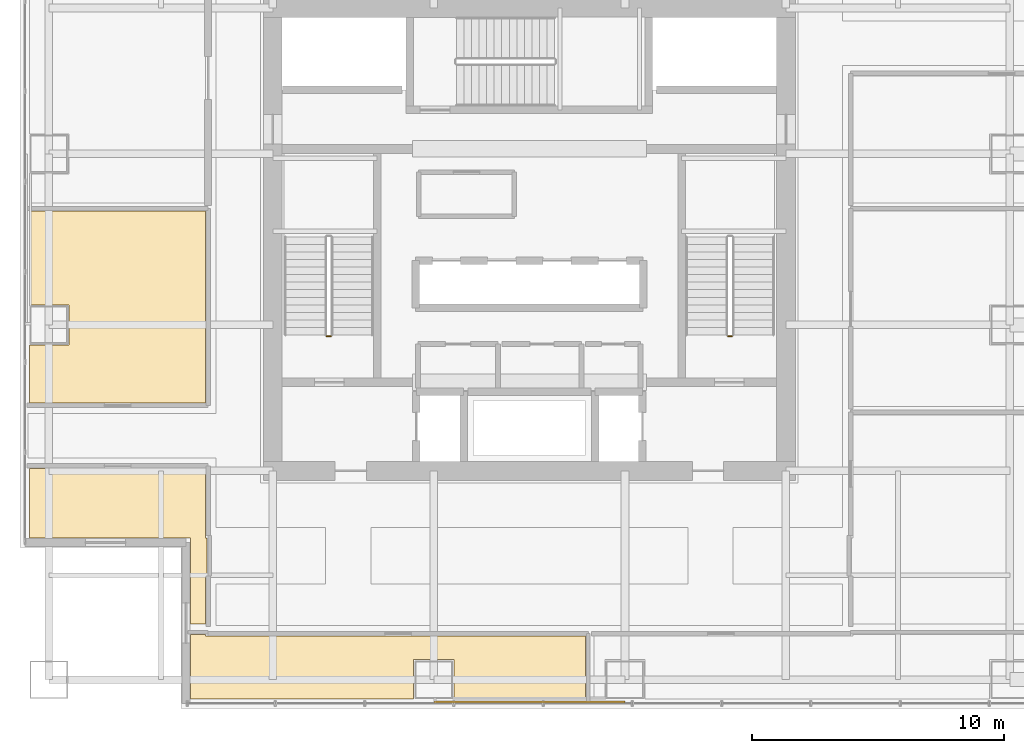
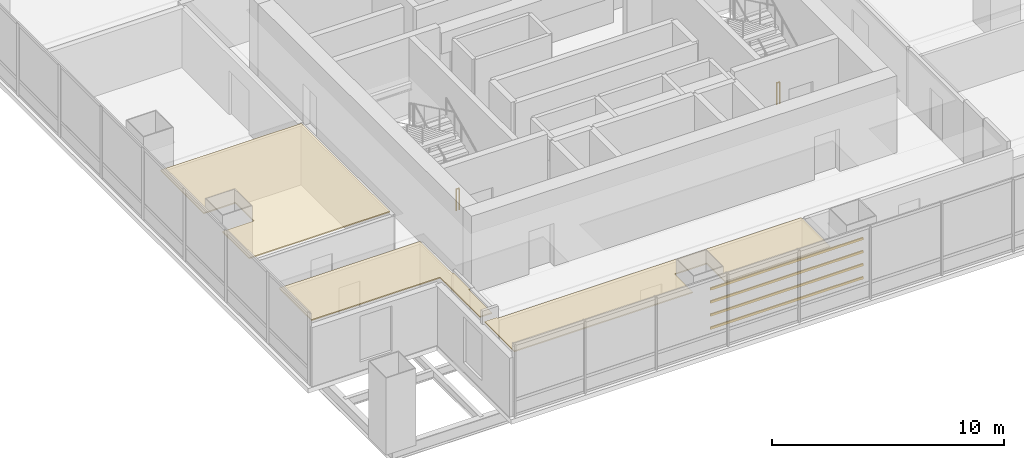
# One storey, part 31 of 35: 4 shading devices, 3 coverings, 2 railings.
"""IFC4 building model written with IfcOpenShell, lengths in metres."""

from ifc_helpers import new_model, si_unit, direction, frame, origin, origin_2d, place, context, subcontext, project, spatial, polyline, hollow_rectangle, circle, outline, extrude, material, layer, layer_set, material_profile, profile_set, type_object, element, save


model = new_model("IFC4")

# Units and contexts
model_context = context("Model", 3, precision=1e-05, world=origin(), true_north=direction((0.0, 1.0)))
body_context = subcontext(model_context, "Body", "Model", "MODEL_VIEW")
ifc_project = project(units=[si_unit("LENGTHUNIT", "METRE"), si_unit("AREAUNIT", "SQUARE_METRE"), si_unit("VOLUMEUNIT", "CUBIC_METRE"), si_unit("PLANEANGLEUNIT", "RADIAN"), si_unit("MASSUNIT", "GRAM", prefix="KILO")], contexts=[model_context])

# Site, building, storey
site_placement = place(None, origin())
site = spatial("IfcSite", under=ifc_project, at=site_placement, CompositionType="ELEMENT")
building_placement = place(site_placement, origin())
building = spatial("IfcBuilding", under=site, at=building_placement, Name="Punatoya Terracotta Tower", CompositionType="ELEMENT")
storey_placement = place(building_placement, frame((0.0, 0.0, 113.25)))
storey = spatial("IfcBuildingStorey", under=building, at=storey_placement, Name="L26", CompositionType="ELEMENT", Elevation=113.25)

# Coverings
ifc_material_1 = material(Name="Acoustic Mineral Fibre Ceiling")
ifc_layer = layer(ifc_material_1, 0.06005859375)
ifc_layer_set = layer_set([ifc_layer], Name="Acoustic Mineral Fibre Ceiling")
covering_type = type_object("IfcCoveringType", Name="COV-CEIL-60", PredefinedType="CEILING", material=ifc_layer_set)
covering_1_placement = place(storey_placement, frame((0.0, 0.0, 3.199951171875)))
element("IfcCovering", 1, at=covering_1_placement, inside=storey, type_object=covering_type, Name="L26 Open-Plan Client Dining Salon Acoustic Ceiling", PredefinedType="CEILING", context=body_context, shape_type="SweptSolid", body=[
    extrude(outline(polyline([(-13.469970703125, -18.27001953125), (-4.60009765625, -18.27001953125), (-4.60009765625, -16.699951171875), (-3.0, -16.699951171875), (-3.0, -18.27001953125), (2.239990234375, -18.27001953125), (2.239990234375, -15.77001953125), (-12.8701171875, -15.77001953125), (-12.8701171875, -15.7099609375), (-13.469970703125, -15.7099609375), (-13.469970703125, -18.27001953125)])), origin(), (0.0, 0.0, 1.0), 0.06005859375),
])
covering_2_placement = place(storey_placement, frame((0.0, 0.0, 3.199951171875)))
element("IfcCovering", 2, at=covering_2_placement, inside=storey, type_object=covering_type, Name="L26 Visitor Reception Salon Acoustic Ceiling", PredefinedType="CEILING", context=body_context, shape_type="SweptSolid", body=[
    extrude(outline(polyline([(-13.469970703125, -11.8701171875), (-13.469970703125, -15.2900390625), (-12.8701171875, -15.2900390625), (-12.8701171875, -13.280029296875), (-12.81005859375, -13.280029296875), (-12.81005859375, -11.8701171875), (-12.8701171875, -11.8701171875), (-12.8701171875, -9.10009765625), (-19.8701171875, -9.10009765625), (-19.8701171875, -11.8701171875), (-13.469970703125, -11.8701171875)])), origin(), (0.0, 0.0, 1.0), 0.06005859375),
])
covering_3_placement = place(storey_placement, frame((0.0, 0.0, 3.199951171875)))
element("IfcCovering", 3, at=covering_3_placement, inside=storey, type_object=covering_type, Name="L26 Open-Plan Wellness Relaxation Lounge Acoustic Ceiling", PredefinedType="CEILING", context=body_context, shape_type="SweptSolid", body=[
    extrude(outline(polyline([(-19.8701171875, 1.1298828125), (-19.8701171875, -2.60009765625), (-18.300048828125, -2.60009765625), (-18.300048828125, -4.199951171875), (-19.8701171875, -4.199951171875), (-19.8701171875, -6.5), (-12.8701171875, -6.5), (-12.8701171875, 1.1298828125), (-19.8701171875, 1.1298828125)])), origin(), (0.0, 0.0, 1.0), 0.06005859375),
])

# Railings
ifc_material_2 = material(Name="Steel S355", Category="steel")
railing_type = type_object("IfcRailingType", Name="RLG-GRD-1150", PredefinedType="GUARDRAIL", material=ifc_material_2)
for number, where, name in (
    (4, (-7.89990234375, -3.85009765625, 0.0), "L26 ST-1 stair guard 4"),
    (5, (8.050048828125, -3.85009765625, 0.0), "L26 ST-2 stair guard 4"),
):
    element("IfcRailing", number, at=place(storey_placement, frame(where)), inside=storey, type_object=railing_type, Name=name, PredefinedType="GUARDRAIL", context=body_context, shape_type="SweptSolid", body=[
        extrude(circle(Radius=0.02392578125, at=origin_2d()), frame((0.0, 0.0, 1.1259765625), z_axis=(-1.0, 0.0, 0.0), x_axis=(0.0, -1.0, 0.0)), (0.0, 0.0, 1.0), 0.150146484375),
        extrude(circle(Radius=0.02099609375, at=origin_2d()), origin(), (0.0, 0.0, 1.0), 1.101806640625),
        extrude(circle(Radius=0.02099609375, at=origin_2d()), frame((-0.150146484375, 0.0, 0.0)), (0.0, 0.0, 1.0), 1.101806640625),
    ])

# Shading devices
ifc_material_3 = material(Name="Architectural Fired Terracotta", Category="masonry")
ifc_material_profile = material_profile(ifc_material_3, hollow_rectangle(XDim=0.06494140625, YDim=0.1201171875, WallThickness=0.014892578125, at=origin_2d()))
ifc_profile_set = profile_set([ifc_material_profile], Name="Architectural Fired Terracotta")
shading_device_type = type_object("IfcShadingDeviceType", Name="SHD-BAG-120", PredefinedType="USERDEFINED", material=ifc_profile_set)
for number, where, z_axis, x_axis, name in (
    (6, (-3.800048828125, -18.389892578125, 1.14990234375), (1.0, 0.0, 0.0), (0.0, 1.0, 0.0), "L26 Fired Terracotta Baguette Louvre BAG-L26-S-01"),
    (7, (-3.800048828125, -18.389892578125, 1.836669921875), (1.0, 0.0, 0.0), (0.0, 1.0, 0.0), "L26 Fired Terracotta Baguette Louvre BAG-L26-S-02"),
    (8, (-3.800048828125, -18.389892578125, 2.523193359375), (1.0, 0.0, 0.0), (0.0, 1.0, 0.0), "L26 Fired Terracotta Baguette Louvre BAG-L26-S-03"),
    (9, (-3.800048828125, -18.389892578125, 3.2099609375), (1.0, 0.0, 0.0), (0.0, 1.0, 0.0), "L26 Fired Terracotta Baguette Louvre BAG-L26-S-04"),
):
    element("IfcShadingDevice", number, at=place(storey_placement, frame(where, z_axis=z_axis, x_axis=x_axis)), inside=storey, type_object=shading_device_type, Name=name, ObjectType="BAGUETTE", PredefinedType="USERDEFINED", context=body_context, shape_type="SweptSolid", body=[
        extrude(hollow_rectangle(XDim=0.06494140625, YDim=0.1201171875, WallThickness=0.014892578125, at=origin_2d()), origin(), (0.0, 0.0, 1.0), 7.60009765625),
    ])

save(model, "model.ifc")
